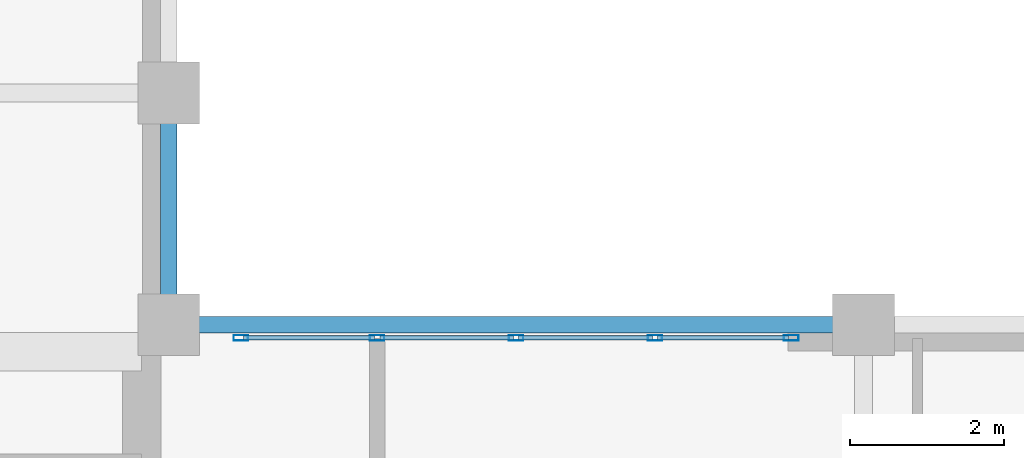
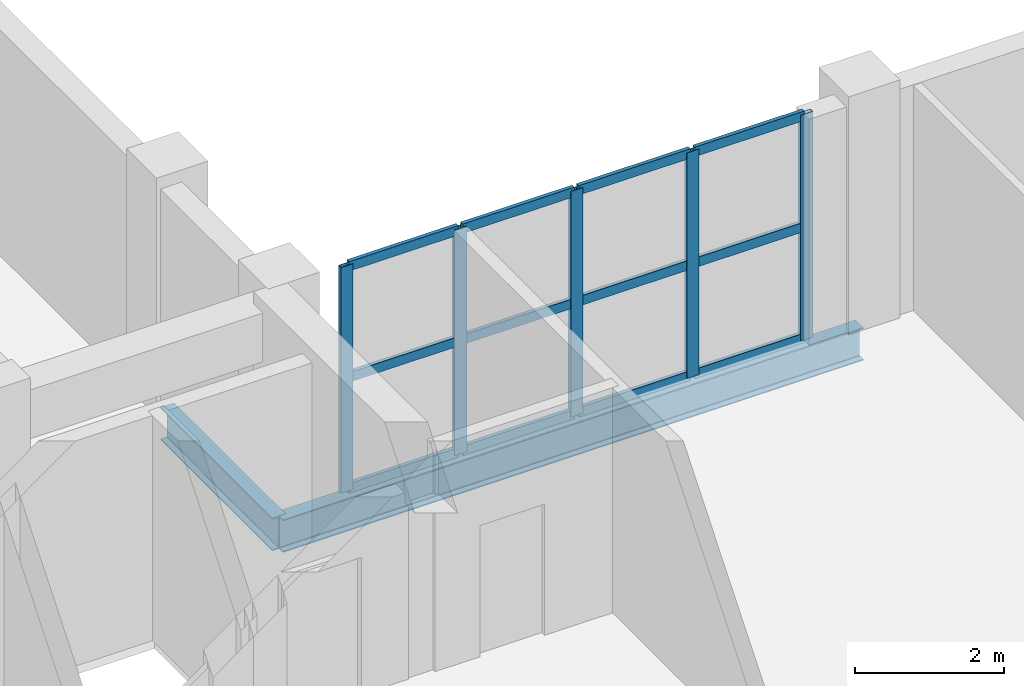
# One storey, part 2 of 7: 17 members, 2 beams, 1 element without a shape of its own.
"""IFC4 building model written with IfcOpenShell, lengths in metres."""

from ifc_helpers import new_model, si_unit, direction, frame, origin, origin_2d, place, context, subcontext, project, spatial, hollow_rectangle, i_section, extrude, material, layer, layer_set, material_profile, profile_set, type_object, element, aggregate, save


model = new_model("IFC4")

# Units and contexts
model_context = context("Model", 3, precision=1e-05, world=origin(), true_north=direction((0.0, 1.0)))
body_context = subcontext(model_context, "Body", "Model", "MODEL_VIEW")
ifc_project = project(units=[si_unit("LENGTHUNIT", "METRE"), si_unit("AREAUNIT", "SQUARE_METRE"), si_unit("VOLUMEUNIT", "CUBIC_METRE"), si_unit("PLANEANGLEUNIT", "RADIAN"), si_unit("MASSUNIT", "GRAM", prefix="KILO")], contexts=[model_context])

# Site, building, storey
site_placement = place(None, origin())
site = spatial("IfcSite", under=ifc_project, at=site_placement, CompositionType="ELEMENT")
building_placement = place(site_placement, origin())
building = spatial("IfcBuilding", under=site, at=building_placement, Name="Mawjdan Bourse Tower", CompositionType="ELEMENT")
storey_placement = place(building_placement, frame((0.0, 0.0, 235.199951171875)))
storey = spatial("IfcBuildingStorey", under=building, at=storey_placement, Name="L57", CompositionType="ELEMENT", Elevation=235.199951171875)

# Curtain wall, members
ifc_material_1 = material(Name="Thermally Broken Aluminium and Solar Glass", Category="aluminium")
ifc_layer = layer(ifc_material_1, 0.219970703125)
ifc_layer_set = layer_set([ifc_layer], Name="Thermally Broken Aluminium and Solar Glass")
curtain_wall_type = type_object("IfcCurtainWallType", Name="CW-ATR", PredefinedType="USERDEFINED", material=ifc_layer_set)
curtain_wall_placement = place(storey_placement, origin())
curtain_wall = element("IfcCurtainWall", 1, at=curtain_wall_placement, inside=storey, type_object=curtain_wall_type, Name="L57 Northeast Atrium Court Curtain Wall", ObjectType="ATRIUM GLAZED CURTAIN WALL", PredefinedType="USERDEFINED")
ifc_material_2 = material(Name="Thermally Broken Anodised Aluminium", Category="aluminium")
ifc_material_profile_1 = material_profile(ifc_material_2, hollow_rectangle(XDim=0.070068359375, YDim=0.18994140625, WallThickness=0.00439453125, at=origin_2d()), Name="ALU-MUL-190X70")
ifc_profile_set_1 = profile_set([ifc_material_profile_1], Name="Thermally Broken Anodised Aluminium")
member_type_1 = type_object("IfcMemberType", Name="MUL-ALU-MUL-190X70", PredefinedType="MULLION", material=ifc_profile_set_1)
member_1_placement = place(storey_placement, frame((32.06494140625, 20.830078125, 0.0), z_axis=(0.0, 0.0, 1.0), x_axis=(0.0, -1.0, 0.0)))
member_1 = element("IfcMember", 2, at=member_1_placement, type_object=member_type_1, Name="CW-ATR-L57-ATR-NE mullion 1", PredefinedType="MULLION", context=body_context, shape_type="SweptSolid", body=[
    extrude(hollow_rectangle(XDim=0.070068359375, YDim=0.18994140625, WallThickness=0.00439453125, at=origin_2d()), origin(), (0.0, 0.0, 1.0), 3.699951171875),
])
member_2_placement = place(storey_placement, frame((30.300048828125, 20.830078125, 0.0), z_axis=(0.0, 0.0, 1.0), x_axis=(0.0, -1.0, 0.0)))
member_2 = element("IfcMember", 3, at=member_2_placement, type_object=member_type_1, Name="CW-ATR-L57-ATR-NE mullion 2", PredefinedType="MULLION", context=body_context, shape_type="SweptSolid", body=[
    extrude(hollow_rectangle(XDim=0.070068359375, YDim=0.18994140625, WallThickness=0.00439453125, at=origin_2d()), origin(), (0.0, 0.0, 1.0), 3.699951171875),
])
member_3_placement = place(storey_placement, frame((28.5, 20.830078125, 0.0), z_axis=(0.0, 0.0, 1.0), x_axis=(0.0, -1.0, 0.0)))
member_3 = element("IfcMember", 4, at=member_3_placement, type_object=member_type_1, Name="CW-ATR-L57-ATR-NE mullion 3", PredefinedType="MULLION", context=body_context, shape_type="SweptSolid", body=[
    extrude(hollow_rectangle(XDim=0.070068359375, YDim=0.18994140625, WallThickness=0.00439453125, at=origin_2d()), origin(), (0.0, 0.0, 1.0), 3.699951171875),
])
member_4_placement = place(storey_placement, frame((26.699951171875, 20.830078125, 0.0), z_axis=(0.0, 0.0, 1.0), x_axis=(0.0, -1.0, 0.0)))
member_4 = element("IfcMember", 5, at=member_4_placement, type_object=member_type_1, Name="CW-ATR-L57-ATR-NE mullion 4", PredefinedType="MULLION", context=body_context, shape_type="SweptSolid", body=[
    extrude(hollow_rectangle(XDim=0.070068359375, YDim=0.18994140625, WallThickness=0.00439453125, at=origin_2d()), origin(), (0.0, 0.0, 1.0), 3.699951171875),
])
member_5_placement = place(storey_placement, frame((24.93505859375, 20.830078125, 0.0), z_axis=(0.0, 0.0, 1.0), x_axis=(0.0, -1.0, 0.0)))
member_5 = element("IfcMember", 6, at=member_5_placement, type_object=member_type_1, Name="CW-ATR-L57-ATR-NE mullion 5", PredefinedType="MULLION", context=body_context, shape_type="SweptSolid", body=[
    extrude(hollow_rectangle(XDim=0.070068359375, YDim=0.18994140625, WallThickness=0.00439453125, at=origin_2d()), origin(), (0.0, 0.0, 1.0), 3.699951171875),
])

# Beams
ifc_material_3 = material(Name="Structural Steel S355", Category="steel")
ifc_material_profile_2 = material_profile(ifc_material_3, i_section(OverallWidth=0.2099609375, OverallDepth=0.537109375, WebThickness=0.010986328125, FlangeThickness=0.017333984375, FilletRadius=0.013916015625, at=origin_2d()), Name="W21X68")
ifc_profile_set_2 = profile_set([ifc_material_profile_2], Name="Structural Steel S355")
beam_type = type_object("IfcBeamType", Name="SPN-W21X68", PredefinedType="SPANDREL", material=ifc_profile_set_2)
beam_1_placement = place(storey_placement, frame((24.0, 21.0, -0.468505859375), z_axis=(1.0, 0.0, 0.0), x_axis=(0.0, 1.0, 0.0)))
element("IfcBeam", 7, at=beam_1_placement, inside=storey, type_object=beam_type, Name="L57 Perimeter Masonry-Shelf Spandrel 010", PredefinedType="SPANDREL", context=body_context, shape_type="SweptSolid", body=[
    extrude(i_section(OverallWidth=0.2099609375, OverallDepth=0.537109375, WebThickness=0.010986328125, FlangeThickness=0.017333984375, FilletRadius=0.013916015625, at=origin_2d()), origin(), (0.0, 0.0, 1.0), 9.0),
])
beam_2_placement = place(storey_placement, frame((24.0, 21.0, -0.468505859375), z_axis=(0.0, 1.0, 0.0), x_axis=(-1.0, 0.0, 0.0)))
element("IfcBeam", 8, at=beam_2_placement, inside=storey, type_object=beam_type, Name="L57 North Wing Spandrel 047", PredefinedType="SPANDREL", context=body_context, shape_type="SweptSolid", body=[
    extrude(i_section(OverallWidth=0.2099609375, OverallDepth=0.537109375, WebThickness=0.010986328125, FlangeThickness=0.017333984375, FilletRadius=0.013916015625, at=origin_2d()), origin(), (0.0, 0.0, 1.0), 3.0),
])

# Member
ifc_material_profile_3 = material_profile(ifc_material_2, hollow_rectangle(XDim=0.06005859375, YDim=0.155029296875, WallThickness=0.00390625, at=origin_2d()), Name="ALU-TRN-155X60")
ifc_profile_set_3 = profile_set([ifc_material_profile_3], Name="Thermally Broken Anodised Aluminium")
member_type_2 = type_object("IfcMemberType", Name="TRN-ALU-TRN-155X60", PredefinedType="USERDEFINED", material=ifc_profile_set_3)
member_6_placement = place(storey_placement, frame((32.030029296875, 20.830078125, 0.030029296875), z_axis=(-1.0, 0.0, 0.0), x_axis=(0.0, -1.0, 0.0)))
member_6 = element("IfcMember", 9, at=member_6_placement, type_object=member_type_2, Name="CW-ATR-L57-ATR-NE transom 1.1", ObjectType="TRANSOM", PredefinedType="USERDEFINED", context=body_context, shape_type="SweptSolid", body=[
    extrude(hollow_rectangle(XDim=0.06005859375, YDim=0.155029296875, WallThickness=0.00390625, at=origin_2d()), origin(), (0.0, 0.0, 1.0), 1.695068359375),
])

member_7_placement = place(storey_placement, frame((32.030029296875, 20.830078125, 1.85009765625), z_axis=(-1.0, 0.0, 0.0), x_axis=(0.0, -1.0, 0.0)))
member_7 = element("IfcMember", 10, at=member_7_placement, type_object=member_type_2, Name="CW-ATR-L57-ATR-NE transom 1.2", ObjectType="TRANSOM", PredefinedType="USERDEFINED", context=body_context, shape_type="SweptSolid", body=[
    extrude(hollow_rectangle(XDim=0.06005859375, YDim=0.155029296875, WallThickness=0.00390625, at=origin_2d()), origin(), (0.0, 0.0, 1.0), 1.695068359375),
])

member_8_placement = place(storey_placement, frame((32.030029296875, 20.830078125, 3.670166015625), z_axis=(-1.0, 0.0, 0.0), x_axis=(0.0, -1.0, 0.0)))
member_8 = element("IfcMember", 11, at=member_8_placement, type_object=member_type_2, Name="CW-ATR-L57-ATR-NE transom 1.3", ObjectType="TRANSOM", PredefinedType="USERDEFINED", context=body_context, shape_type="SweptSolid", body=[
    extrude(hollow_rectangle(XDim=0.06005859375, YDim=0.155029296875, WallThickness=0.00390625, at=origin_2d()), origin(), (0.0, 0.0, 1.0), 1.695068359375),
])

member_9_placement = place(storey_placement, frame((30.264892578125, 20.830078125, 0.030029296875), z_axis=(-1.0, 0.0, 0.0), x_axis=(0.0, -1.0, 0.0)))
member_9 = element("IfcMember", 12, at=member_9_placement, type_object=member_type_2, Name="CW-ATR-L57-ATR-NE transom 2.1", ObjectType="TRANSOM", PredefinedType="USERDEFINED", context=body_context, shape_type="SweptSolid", body=[
    extrude(hollow_rectangle(XDim=0.06005859375, YDim=0.155029296875, WallThickness=0.00390625, at=origin_2d()), origin(), (0.0, 0.0, 1.0), 1.72998046875),
])

member_10_placement = place(storey_placement, frame((30.264892578125, 20.830078125, 1.85009765625), z_axis=(-1.0, 0.0, 0.0), x_axis=(0.0, -1.0, 0.0)))
member_10 = element("IfcMember", 13, at=member_10_placement, type_object=member_type_2, Name="CW-ATR-L57-ATR-NE transom 2.2", ObjectType="TRANSOM", PredefinedType="USERDEFINED", context=body_context, shape_type="SweptSolid", body=[
    extrude(hollow_rectangle(XDim=0.06005859375, YDim=0.155029296875, WallThickness=0.00390625, at=origin_2d()), origin(), (0.0, 0.0, 1.0), 1.72998046875),
])

member_11_placement = place(storey_placement, frame((30.264892578125, 20.830078125, 3.670166015625), z_axis=(-1.0, 0.0, 0.0), x_axis=(0.0, -1.0, 0.0)))
member_11 = element("IfcMember", 14, at=member_11_placement, type_object=member_type_2, Name="CW-ATR-L57-ATR-NE transom 2.3", ObjectType="TRANSOM", PredefinedType="USERDEFINED", context=body_context, shape_type="SweptSolid", body=[
    extrude(hollow_rectangle(XDim=0.06005859375, YDim=0.155029296875, WallThickness=0.00390625, at=origin_2d()), origin(), (0.0, 0.0, 1.0), 1.72998046875),
])

member_12_placement = place(storey_placement, frame((28.465087890625, 20.830078125, 0.030029296875), z_axis=(-1.0, 0.0, 0.0), x_axis=(0.0, -1.0, 0.0)))
member_12 = element("IfcMember", 15, at=member_12_placement, type_object=member_type_2, Name="CW-ATR-L57-ATR-NE transom 3.1", ObjectType="TRANSOM", PredefinedType="USERDEFINED", context=body_context, shape_type="SweptSolid", body=[
    extrude(hollow_rectangle(XDim=0.06005859375, YDim=0.155029296875, WallThickness=0.00390625, at=origin_2d()), origin(), (0.0, 0.0, 1.0), 1.72998046875),
])

member_13_placement = place(storey_placement, frame((28.465087890625, 20.830078125, 1.85009765625), z_axis=(-1.0, 0.0, 0.0), x_axis=(0.0, -1.0, 0.0)))
member_13 = element("IfcMember", 16, at=member_13_placement, type_object=member_type_2, Name="CW-ATR-L57-ATR-NE transom 3.2", ObjectType="TRANSOM", PredefinedType="USERDEFINED", context=body_context, shape_type="SweptSolid", body=[
    extrude(hollow_rectangle(XDim=0.06005859375, YDim=0.155029296875, WallThickness=0.00390625, at=origin_2d()), origin(), (0.0, 0.0, 1.0), 1.72998046875),
])

member_14_placement = place(storey_placement, frame((28.465087890625, 20.830078125, 3.670166015625), z_axis=(-1.0, 0.0, 0.0), x_axis=(0.0, -1.0, 0.0)))
member_14 = element("IfcMember", 17, at=member_14_placement, type_object=member_type_2, Name="CW-ATR-L57-ATR-NE transom 3.3", ObjectType="TRANSOM", PredefinedType="USERDEFINED", context=body_context, shape_type="SweptSolid", body=[
    extrude(hollow_rectangle(XDim=0.06005859375, YDim=0.155029296875, WallThickness=0.00390625, at=origin_2d()), origin(), (0.0, 0.0, 1.0), 1.72998046875),
])

member_15_placement = place(storey_placement, frame((26.6650390625, 20.830078125, 0.030029296875), z_axis=(-1.0, 0.0, 0.0), x_axis=(0.0, -1.0, 0.0)))
member_15 = element("IfcMember", 18, at=member_15_placement, type_object=member_type_2, Name="CW-ATR-L57-ATR-NE transom 4.1", ObjectType="TRANSOM", PredefinedType="USERDEFINED", context=body_context, shape_type="SweptSolid", body=[
    extrude(hollow_rectangle(XDim=0.06005859375, YDim=0.155029296875, WallThickness=0.00390625, at=origin_2d()), origin(), (0.0, 0.0, 1.0), 1.695068359375),
])

member_16_placement = place(storey_placement, frame((26.6650390625, 20.830078125, 1.85009765625), z_axis=(-1.0, 0.0, 0.0), x_axis=(0.0, -1.0, 0.0)))
member_16 = element("IfcMember", 19, at=member_16_placement, type_object=member_type_2, Name="CW-ATR-L57-ATR-NE transom 4.2", ObjectType="TRANSOM", PredefinedType="USERDEFINED", context=body_context, shape_type="SweptSolid", body=[
    extrude(hollow_rectangle(XDim=0.06005859375, YDim=0.155029296875, WallThickness=0.00390625, at=origin_2d()), origin(), (0.0, 0.0, 1.0), 1.695068359375),
])

member_17_placement = place(storey_placement, frame((26.6650390625, 20.830078125, 3.670166015625), z_axis=(-1.0, 0.0, 0.0), x_axis=(0.0, -1.0, 0.0)))
member_17 = element("IfcMember", 20, at=member_17_placement, type_object=member_type_2, Name="CW-ATR-L57-ATR-NE transom 4.3", ObjectType="TRANSOM", PredefinedType="USERDEFINED", context=body_context, shape_type="SweptSolid", body=[
    extrude(hollow_rectangle(XDim=0.06005859375, YDim=0.155029296875, WallThickness=0.00390625, at=origin_2d()), origin(), (0.0, 0.0, 1.0), 1.695068359375),
])

aggregate(curtain_wall, [member_1, member_2, member_3, member_4, member_5, member_6, member_7, member_8, member_9, member_10, member_11, member_12, member_13, member_14, member_15, member_16, member_17])

save(model, "model.ifc")
